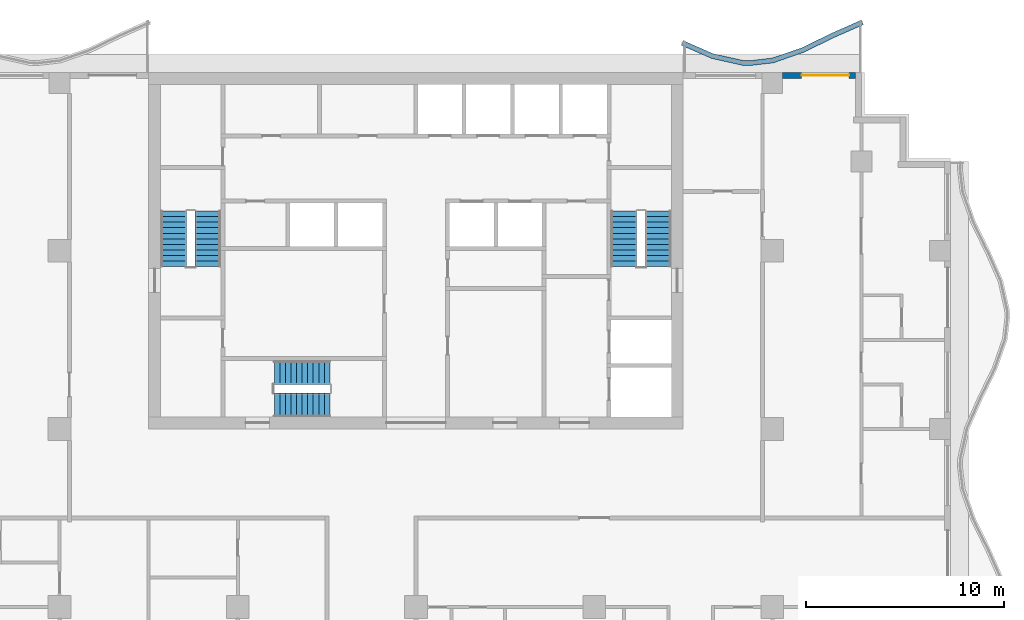
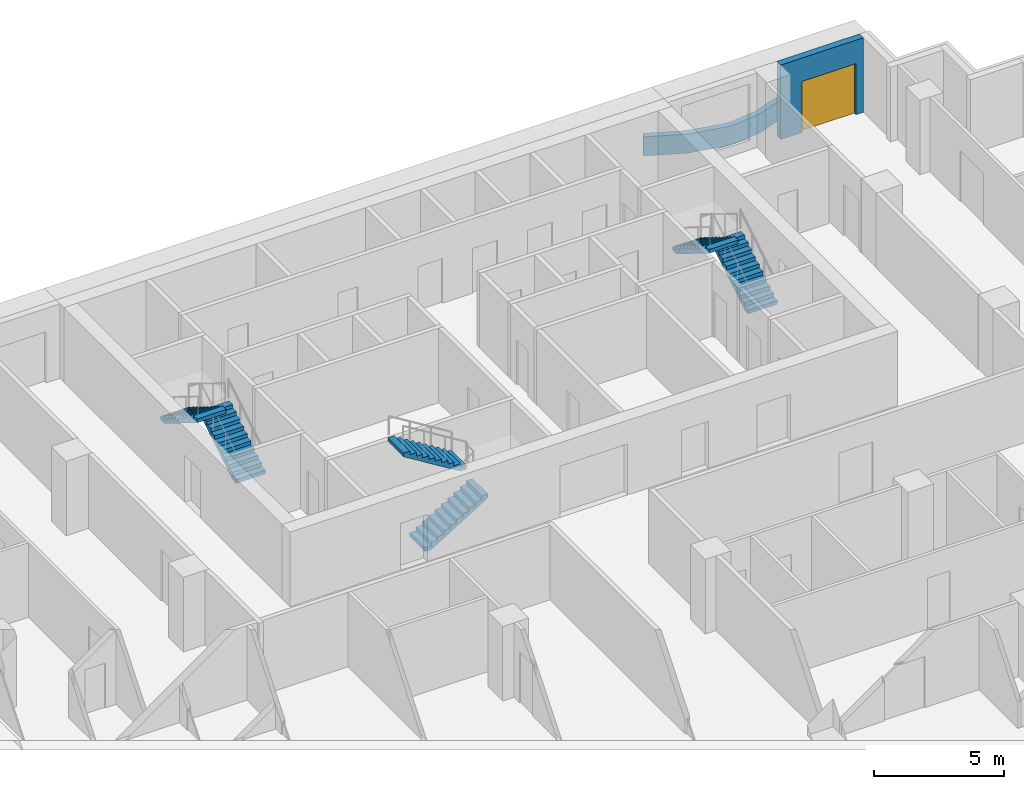
# One storey, part 7 of 11: 6 stair flights, 2 walls, 1 door, 1 opening, 3 elements without a shape of their own.
"""IFC4 building model written with IfcOpenShell, lengths in metres."""

from ifc_helpers import new_model, si_unit, direction, frame, frame_2d, origin, place, context, subcontext, project, spatial, polyline, rectangle, outline, extrude, material, layer, layer_set, type_object, element, fill, aggregate, save


model = new_model("IFC4")

# Units and contexts
model_context = context("Model", 3, precision=1e-05, world=origin(), true_north=direction((0.0, 1.0)))
body_context = subcontext(model_context, "Body", "Model", "MODEL_VIEW")
ifc_project = project(units=[si_unit("LENGTHUNIT", "METRE"), si_unit("AREAUNIT", "SQUARE_METRE"), si_unit("VOLUMEUNIT", "CUBIC_METRE"), si_unit("PLANEANGLEUNIT", "RADIAN"), si_unit("MASSUNIT", "GRAM", prefix="KILO")], contexts=[model_context])

# Site, building, storey
site_placement = place(None, origin())
site = spatial("IfcSite", under=ifc_project, at=site_placement, CompositionType="ELEMENT")
building_placement = place(site_placement, origin())
building = spatial("IfcBuilding", under=site, at=building_placement, Name="Orbiselva Terraces", CompositionType="ELEMENT")
storey_placement = place(building_placement, frame((0.0, 0.0, 192.0)))
storey = spatial("IfcBuildingStorey", under=building, at=storey_placement, Name="L48", CompositionType="ELEMENT", Elevation=192.0)

# Wall
ifc_material_1 = material(Name="Concrete C40/50", Category="concrete")
ifc_layer_1 = layer(ifc_material_1, 0.25)
ifc_layer_set_1 = layer_set([ifc_layer_1], Name="Concrete C40/50")
wall_type_1 = type_object("IfcWallType", Name="ENV-PLANTER-250x900", PredefinedType="USERDEFINED", material=ifc_layer_set_1)
wall_1_placement = place(storey_placement, origin())
element("IfcWall", 1, at=wall_1_placement, inside=storey, type_object=wall_type_1, Name="Balcony planter L48 NE", ObjectType="PLANTER", PredefinedType="USERDEFINED", context=body_context, shape_type="SweptSolid", body=[
    extrude(outline(polyline([(22.5, 25.148528), (21.0, 24.487721), (19.5, 23.755211), (18.0, 23.230792), (16.875, 23.1), (16.5, 23.114774), (15.0, 23.451472), (13.5, 24.112279), (13.399212, 23.883496), (14.921492, 23.212874), (16.467435, 22.865863), (16.884572, 22.849429), (18.056371, 22.985662), (19.59644, 23.524089), (21.105286, 24.260919), (22.600788, 24.919745), (22.5, 25.148528)])), origin(), (0.0, 0.0, 1.0), 0.9),
])

# Wall, opening, door
ifc_material_2 = material(Name="Terracotta cladding on masonry backing", Category="masonry")
ifc_layer_2 = layer(ifc_material_2, 0.3)
ifc_layer_set_2 = layer_set([ifc_layer_2], Name="Terracotta cladding on masonry backing")
wall_type_2 = type_object("IfcWallType", Name="ENV-WALL-TERRACOTTA-300", PredefinedType="SOLIDWALL", material=ifc_layer_set_2)
wall_2_placement = place(storey_placement, frame((18.525, 22.35, 0.0), z_axis=(0.0, 0.0, 1.0), x_axis=(1.0, 0.0, 0.0)))
wall_2 = element("IfcWall", 2, at=wall_2_placement, inside=storey, type_object=wall_type_2, Name="Facade wall L48 NE", PredefinedType="SOLIDWALL", context=body_context, shape_type="SweptSolid", body=[
    extrude(rectangle(XDim=3.675, YDim=0.3, at=frame_2d((1.8375, 0.0))), origin(), (0.0, 0.0, 1.0), 3.5),
])
opening_placement = place(wall_2_placement, frame((0.95, 0.0, 0.0)))
opening = element("IfcOpeningElement", 3, at=opening_placement, cuts=wall_2, Name="Opening Z4-A-E18", PredefinedType="OPENING", context=body_context, shape_type="SweptSolid", body=[
    extrude(rectangle(XDim=2.4, YDim=2.4, at=frame_2d((1.2, 1.2))), frame((0.0, 0.16, 0.0), z_axis=(0.0, -1.0, 0.0), x_axis=(1.0, 0.0, 0.0)), (0.0, 0.0, 1.0), 0.32),
])
ifc_material_3 = material(Name="Clear low-e glazing in aluminium frame", Category="aluminium")
door_type = type_object("IfcDoorType", Name="BALCONY DOOR 2400 X 2400", OperationType="DOUBLE_DOOR_SLIDING", PredefinedType="DOOR", material=ifc_material_3)
door_placement = place(opening_placement, origin())
door = element("IfcDoor", 4, at=door_placement, inside=storey, type_object=door_type, Name="Z4-A-E18", OperationType="SINGLE_SWING_LEFT", OverallHeight=2.4, OverallWidth=2.4, PredefinedType="DOOR", context=body_context, shape_type="SweptSolid", body=[
    extrude(rectangle(XDim=2.4, YDim=2.4, at=frame_2d((1.2, 1.2))), frame((0.0, 0.025, 0.0), z_axis=(0.0, -1.0, 0.0), x_axis=(1.0, 0.0, 0.0)), (0.0, 0.0, 1.0), 0.05),
])
fill(opening, door)

# Stair, stair flights
stair_type_1 = type_object("IfcStairType", Name="CORE-STAIR-1200", PredefinedType="HALF_TURN_STAIR", material=ifc_material_1)
stair_1_placement = place(storey_placement, origin())
stair_1 = element("IfcStair", 5, at=stair_1_placement, inside=storey, type_object=stair_type_1, Name="L48 Exit Stair S3", PredefinedType="HALF_TURN_STAIR")
stair_flight_type_1 = type_object("IfcStairFlightType", Name="CORE-STAIR-FLIGHT-1200", PredefinedType="STRAIGHT", material=ifc_material_1)
stair_flight_1_placement = place(storey_placement, frame((-7.15, 5.7, 0.0), z_axis=(0.0, 0.0, 1.0), x_axis=(1.0, 0.0, 0.0)))
stair_flight_1 = element("IfcStairFlight", 6, at=stair_flight_1_placement, type_object=stair_flight_type_1, Name="S3 flight 1", NumberOfRisers=11, NumberOfTreads=10, PredefinedType="STRAIGHT", RiserHeight=0.172727273, TreadLength=0.28, context=body_context, shape_type="SweptSolid", body=[
    extrude(outline(polyline([(0.0, 0.0), (0.0, 0.172727), (0.28, 0.172727), (0.28, 0.345455), (0.56, 0.345455), (0.56, 0.518182), (0.84, 0.518182), (0.84, 0.690909), (1.12, 0.690909), (1.12, 0.863636), (1.4, 0.863636), (1.4, 1.036364), (1.68, 1.036364), (1.68, 1.209091), (1.96, 1.209091), (1.96, 1.381818), (2.24, 1.381818), (2.24, 1.554545), (2.52, 1.554545), (2.52, 1.727273), (2.8, 1.727273), (2.8, 1.9), (2.8, 1.551028), (0.285702, 0.0), (0.0, 0.0)])), frame((0.0, 0.6, 0.0), z_axis=(0.0, -1.0, 0.0), x_axis=(1.0, 0.0, 0.0)), (0.0, 0.0, 1.0), 1.2),
])
stair_flight_2_placement = place(storey_placement, frame((-4.35, 7.35, 1.9), z_axis=(0.0, 0.0, 1.0), x_axis=(-1.0, 0.0, 0.0)))
stair_flight_2 = element("IfcStairFlight", 7, at=stair_flight_2_placement, type_object=stair_flight_type_1, Name="S3 flight 2", NumberOfRisers=11, NumberOfTreads=10, PredefinedType="STRAIGHT", RiserHeight=0.172727273, TreadLength=0.28, context=body_context, shape_type="SweptSolid", body=[
    extrude(outline(polyline([(0.0, 0.0), (0.0, 0.172727), (0.28, 0.172727), (0.28, 0.345455), (0.56, 0.345455), (0.56, 0.518182), (0.84, 0.518182), (0.84, 0.690909), (1.12, 0.690909), (1.12, 0.863636), (1.4, 0.863636), (1.4, 1.036364), (1.68, 1.036364), (1.68, 1.209091), (1.96, 1.209091), (1.96, 1.381818), (2.24, 1.381818), (2.24, 1.554545), (2.52, 1.554545), (2.52, 1.727273), (2.8, 1.727273), (2.8, 1.9), (2.8, 1.551028), (0.285702, 0.0), (0.0, 0.0)])), frame((0.0, 0.6, 0.0), z_axis=(0.0, -1.0, 0.0), x_axis=(1.0, 0.0, 0.0)), (0.0, 0.0, 1.0), 1.2),
])
aggregate(stair_1, [stair_flight_1, stair_flight_2])

stair_type_2 = type_object("IfcStairType", Name="CORE-STAIR-1300", PredefinedType="HALF_TURN_STAIR", material=ifc_material_1)
stair_2_placement = place(storey_placement, origin())
stair_2 = element("IfcStair", 8, at=stair_2_placement, inside=storey, type_object=stair_type_2, Name="L48 Exit Stair S1", PredefinedType="HALF_TURN_STAIR")
stair_flight_type_2 = type_object("IfcStairFlightType", Name="CORE-STAIR-FLIGHT-1300", PredefinedType="STRAIGHT", material=ifc_material_1)
stair_flight_3_placement = place(storey_placement, frame((-10.5, 12.7, 0.0), z_axis=(0.0, 0.0, 1.0), x_axis=(0.0, 1.0, 0.0)))
stair_flight_3 = element("IfcStairFlight", 9, at=stair_flight_3_placement, type_object=stair_flight_type_2, Name="S1 flight 1", NumberOfRisers=11, NumberOfTreads=10, PredefinedType="STRAIGHT", RiserHeight=0.172727273, TreadLength=0.28, context=body_context, shape_type="SweptSolid", body=[
    extrude(outline(polyline([(0.0, 0.0), (0.0, 0.172727), (0.28, 0.172727), (0.28, 0.345455), (0.56, 0.345455), (0.56, 0.518182), (0.84, 0.518182), (0.84, 0.690909), (1.12, 0.690909), (1.12, 0.863636), (1.4, 0.863636), (1.4, 1.036364), (1.68, 1.036364), (1.68, 1.209091), (1.96, 1.209091), (1.96, 1.381818), (2.24, 1.381818), (2.24, 1.554545), (2.52, 1.554545), (2.52, 1.727273), (2.8, 1.727273), (2.8, 1.9), (2.8, 1.551028), (0.285702, 0.0), (0.0, 0.0)])), frame((0.0, 0.65, 0.0), z_axis=(0.0, -1.0, 0.0), x_axis=(1.0, 0.0, 0.0)), (0.0, 0.0, 1.0), 1.3),
])
stair_flight_4_placement = place(storey_placement, frame((-12.25, 15.5, 1.9), z_axis=(0.0, 0.0, 1.0), x_axis=(0.0, -1.0, 0.0)))
stair_flight_4 = element("IfcStairFlight", 10, at=stair_flight_4_placement, type_object=stair_flight_type_2, Name="S1 flight 2", NumberOfRisers=11, NumberOfTreads=10, PredefinedType="STRAIGHT", RiserHeight=0.172727273, TreadLength=0.28, context=body_context, shape_type="SweptSolid", body=[
    extrude(outline(polyline([(0.0, 0.0), (0.0, 0.172727), (0.28, 0.172727), (0.28, 0.345455), (0.56, 0.345455), (0.56, 0.518182), (0.84, 0.518182), (0.84, 0.690909), (1.12, 0.690909), (1.12, 0.863636), (1.4, 0.863636), (1.4, 1.036364), (1.68, 1.036364), (1.68, 1.209091), (1.96, 1.209091), (1.96, 1.381818), (2.24, 1.381818), (2.24, 1.554545), (2.52, 1.554545), (2.52, 1.727273), (2.8, 1.727273), (2.8, 1.9), (2.8, 1.551028), (0.285702, 0.0), (0.0, 0.0)])), frame((0.0, 0.65, 0.0), z_axis=(0.0, -1.0, 0.0), x_axis=(1.0, 0.0, 0.0)), (0.0, 0.0, 1.0), 1.3),
])
aggregate(stair_2, [stair_flight_3, stair_flight_4])

stair_3_placement = place(storey_placement, origin())
stair_3 = element("IfcStair", 11, at=stair_3_placement, inside=storey, type_object=stair_type_2, Name="L48 Exit Stair S2", PredefinedType="HALF_TURN_STAIR")
stair_flight_5_placement = place(storey_placement, frame((12.25, 12.7, 0.0), z_axis=(0.0, 0.0, 1.0), x_axis=(0.0, 1.0, 0.0)))
stair_flight_5 = element("IfcStairFlight", 12, at=stair_flight_5_placement, type_object=stair_flight_type_2, Name="S2 flight 1", NumberOfRisers=11, NumberOfTreads=10, PredefinedType="STRAIGHT", RiserHeight=0.172727273, TreadLength=0.28, context=body_context, shape_type="SweptSolid", body=[
    extrude(outline(polyline([(0.0, 0.0), (0.0, 0.172727), (0.28, 0.172727), (0.28, 0.345455), (0.56, 0.345455), (0.56, 0.518182), (0.84, 0.518182), (0.84, 0.690909), (1.12, 0.690909), (1.12, 0.863636), (1.4, 0.863636), (1.4, 1.036364), (1.68, 1.036364), (1.68, 1.209091), (1.96, 1.209091), (1.96, 1.381818), (2.24, 1.381818), (2.24, 1.554545), (2.52, 1.554545), (2.52, 1.727273), (2.8, 1.727273), (2.8, 1.9), (2.8, 1.551028), (0.285702, 0.0), (0.0, 0.0)])), frame((0.0, 0.65, 0.0), z_axis=(0.0, -1.0, 0.0), x_axis=(1.0, 0.0, 0.0)), (0.0, 0.0, 1.0), 1.3),
])
stair_flight_6_placement = place(storey_placement, frame((10.5, 15.5, 1.9), z_axis=(0.0, 0.0, 1.0), x_axis=(0.0, -1.0, 0.0)))
stair_flight_6 = element("IfcStairFlight", 13, at=stair_flight_6_placement, type_object=stair_flight_type_2, Name="S2 flight 2", NumberOfRisers=11, NumberOfTreads=10, PredefinedType="STRAIGHT", RiserHeight=0.172727273, TreadLength=0.28, context=body_context, shape_type="SweptSolid", body=[
    extrude(outline(polyline([(0.0, 0.0), (0.0, 0.172727), (0.28, 0.172727), (0.28, 0.345455), (0.56, 0.345455), (0.56, 0.518182), (0.84, 0.518182), (0.84, 0.690909), (1.12, 0.690909), (1.12, 0.863636), (1.4, 0.863636), (1.4, 1.036364), (1.68, 1.036364), (1.68, 1.209091), (1.96, 1.209091), (1.96, 1.381818), (2.24, 1.381818), (2.24, 1.554545), (2.52, 1.554545), (2.52, 1.727273), (2.8, 1.727273), (2.8, 1.9), (2.8, 1.551028), (0.285702, 0.0), (0.0, 0.0)])), frame((0.0, 0.65, 0.0), z_axis=(0.0, -1.0, 0.0), x_axis=(1.0, 0.0, 0.0)), (0.0, 0.0, 1.0), 1.3),
])
aggregate(stair_3, [stair_flight_5, stair_flight_6])

save(model, "model.ifc")
